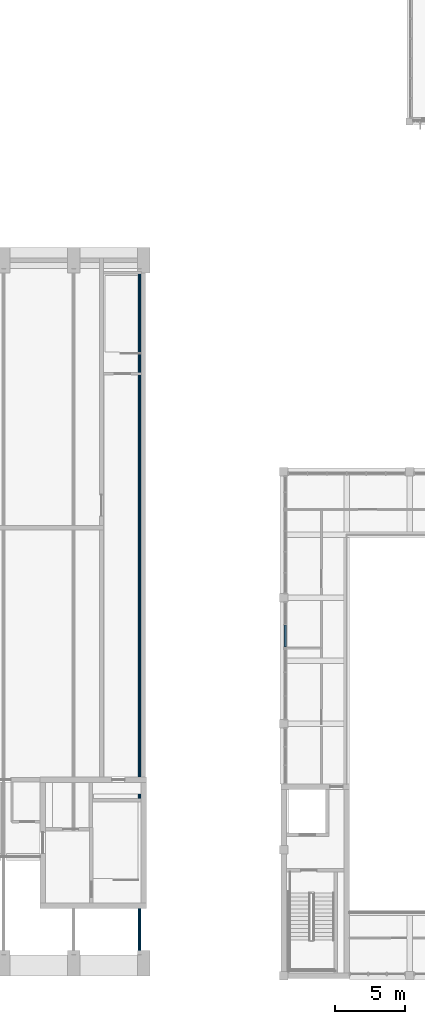
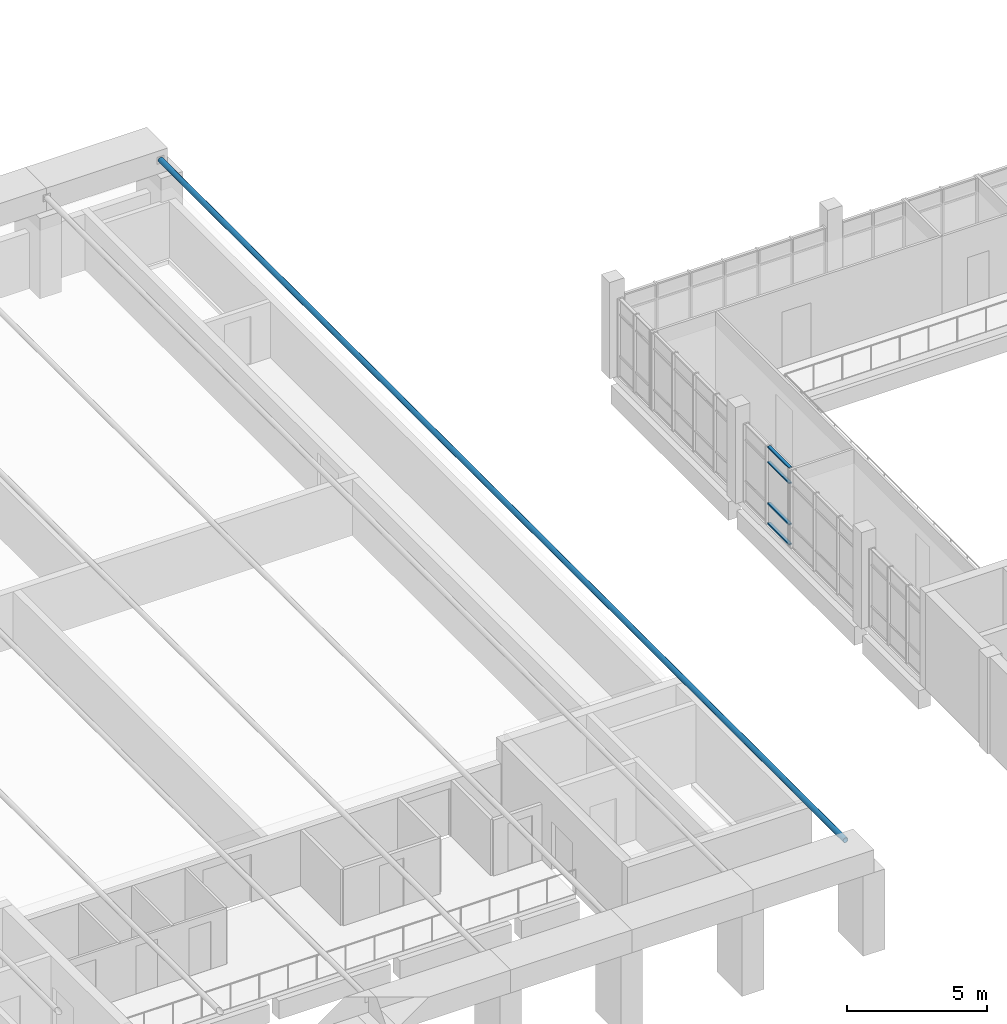
# One storey, part 4 of 92: 5 members, 1 element without a shape of its own.
"""IFC4 building model written with IfcOpenShell, lengths in metres."""

from ifc_helpers import new_model, si_unit, direction, frame, origin, origin_2d, place, context, subcontext, project, spatial, rectangle, hollow_circle, extrude, material, material_profile, profile_set, type_object, element, aggregate, save


model = new_model("IFC4")

# Units and contexts
model_context = context("Model", 3, precision=1e-05, world=origin(), true_north=direction((0.0, 1.0)))
body_context = subcontext(model_context, "Body", "Model", "MODEL_VIEW")
ifc_project = project(units=[si_unit("LENGTHUNIT", "METRE"), si_unit("AREAUNIT", "SQUARE_METRE"), si_unit("VOLUMEUNIT", "CUBIC_METRE"), si_unit("PLANEANGLEUNIT", "RADIAN"), si_unit("MASSUNIT", "GRAM", prefix="KILO")], contexts=[model_context])

# Site, building, storey
site_placement = place(None, origin())
site = spatial("IfcSite", under=ifc_project, at=site_placement, CompositionType="ELEMENT")
building_placement = place(site_placement, origin())
building = spatial("IfcBuilding", under=site, at=building_placement, Name="Merrow Basin Faculty of Sciences", CompositionType="ELEMENT")
storey_placement = place(building_placement, frame((0.0, 0.0, 4.5)))
storey = spatial("IfcBuildingStorey", under=building, at=storey_placement, Name="L01", CompositionType="ELEMENT", Elevation=4.5)

# Curtain wall, members
ifc_material_1 = material(Name="Aluminium alloy 6063", Category="aluminium")
curtain_wall_type = type_object("IfcCurtainWallType", Name="Atrium unitised curtain wall 240", PredefinedType="NOTDEFINED", material=ifc_material_1)
curtain_wall_placement = place(storey_placement, origin())
curtain_wall = element("IfcCurtainWall", 1, at=curtain_wall_placement, inside=storey, type_object=curtain_wall_type, Name="W curtain wall L01 3", PredefinedType="NOTDEFINED")
ifc_material_2 = material(Name="Aluminium alloy 6063", Category="aluminium")
ifc_material_profile_1 = material_profile(ifc_material_2, rectangle(XDim=0.1201171875, YDim=0.06005859375, at=origin_2d()))
ifc_profile_set_1 = profile_set([ifc_material_profile_1], Name="Aluminium alloy 6063")
member_type_1 = type_object("IfcMemberType", Name="Aluminium transom 60x120", PredefinedType="USERDEFINED", material=ifc_profile_set_1)
member_1_placement = place(storey_placement, frame((45.1201171875, 23.510009765625, 0.030029296875), z_axis=(0.0, 1.0, 0.0), x_axis=(-1.0, 0.0, 0.0)))
member_1 = element("IfcMember", 2, at=member_1_placement, type_object=member_type_1, Name="CW5 transom 1.1", ObjectType="TRANSOM", PredefinedType="USERDEFINED", context=body_context, shape_type="SweptSolid", body=[
    extrude(rectangle(XDim=0.1201171875, YDim=0.06005859375, at=origin_2d()), origin(), (0.0, 0.0, 1.0), 1.534912109375),
])
member_2_placement = place(storey_placement, frame((45.1201171875, 23.510009765625, 0.89990234375), z_axis=(0.0, 1.0, 0.0), x_axis=(-1.0, 0.0, 0.0)))
member_2 = element("IfcMember", 3, at=member_2_placement, type_object=member_type_1, Name="CW5 transom 1.2", ObjectType="TRANSOM", PredefinedType="USERDEFINED", context=body_context, shape_type="SweptSolid", body=[
    extrude(rectangle(XDim=0.1201171875, YDim=0.06005859375, at=origin_2d()), origin(), (0.0, 0.0, 1.0), 1.534912109375),
])
member_3_placement = place(storey_placement, frame((45.1201171875, 23.510009765625, 2.699951171875), z_axis=(0.0, 1.0, 0.0), x_axis=(-1.0, 0.0, 0.0)))
member_3 = element("IfcMember", 4, at=member_3_placement, type_object=member_type_1, Name="CW5 transom 1.3", ObjectType="TRANSOM", PredefinedType="USERDEFINED", context=body_context, shape_type="SweptSolid", body=[
    extrude(rectangle(XDim=0.1201171875, YDim=0.06005859375, at=origin_2d()), origin(), (0.0, 0.0, 1.0), 1.534912109375),
])
member_4_placement = place(storey_placement, frame((45.1201171875, 23.510009765625, 3.3701171875), z_axis=(0.0, 1.0, 0.0), x_axis=(-1.0, 0.0, 0.0)))
member_4 = element("IfcMember", 5, at=member_4_placement, type_object=member_type_1, Name="CW5 transom 1.4", ObjectType="TRANSOM", PredefinedType="USERDEFINED", context=body_context, shape_type="SweptSolid", body=[
    extrude(rectangle(XDim=0.1201171875, YDim=0.06005859375, at=origin_2d()), origin(), (0.0, 0.0, 1.0), 1.534912109375),
])
aggregate(curtain_wall, [member_1, member_2, member_3, member_4])

# Member
ifc_material_3 = material(Name="Steel ASTM A500 Gr C", Category="steel")
ifc_material_profile_2 = material_profile(ifc_material_3, hollow_circle(Radius=0.109619140625, WallThickness=0.0126953125, at=origin_2d()))
ifc_profile_set_2 = profile_set([ifc_material_profile_2], Name="Steel ASTM A500 Gr C")
member_type_2 = type_object("IfcMemberType", Name="Tie CHS219x12.7", PredefinedType="USERDEFINED", material=ifc_profile_set_2)
member_5_placement = place(storey_placement, frame((34.699951171875, 1.51611328125, 4.10009765625), z_axis=(0.0, 1.0, 0.0), x_axis=(-1.0, 0.0, 0.0)))
element("IfcMember", 6, at=member_5_placement, inside=storey, type_object=member_type_2, Name="Tie R", ObjectType="TIE", PredefinedType="USERDEFINED", context=body_context, shape_type="SweptSolid", body=[
    extrude(hollow_circle(Radius=0.109619140625, WallThickness=0.0126953125, at=origin_2d()), origin(), (0.0, 0.0, 1.0), 48.9677734375),
])

save(model, "model.ifc")
